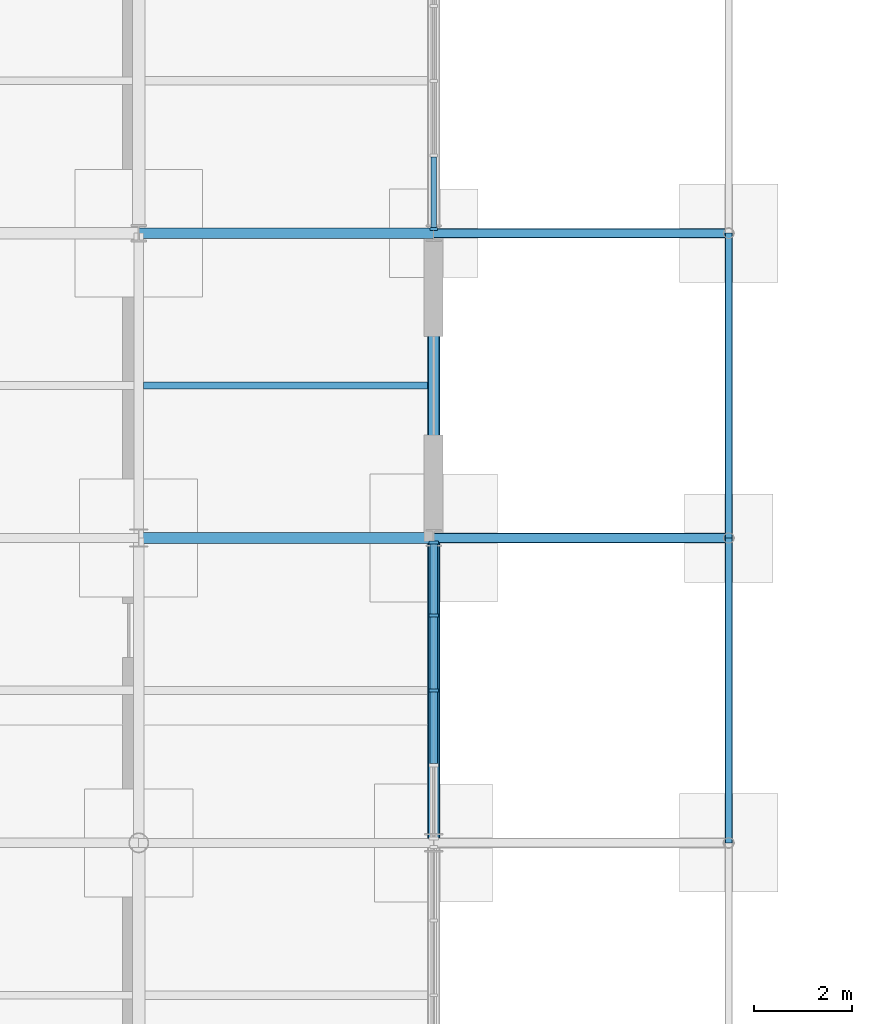
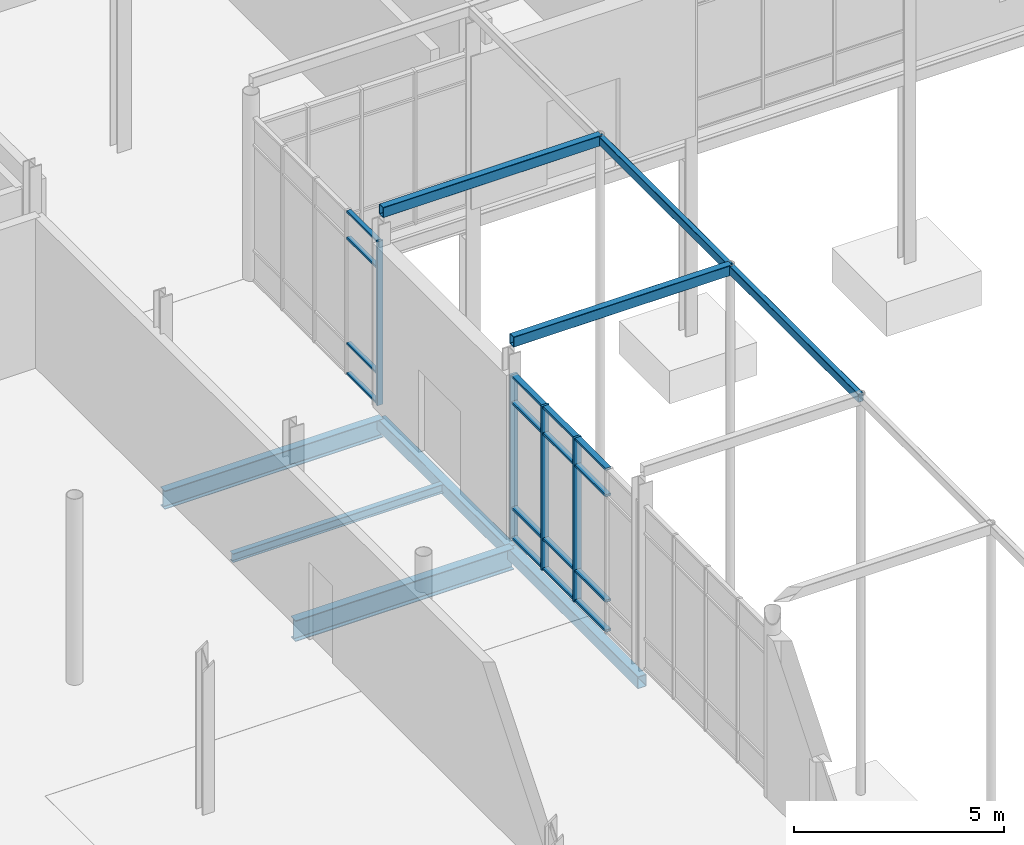
# One storey, part 30 of 98: 20 members, 9 beams, 2 elements without a shape of their own.
"""IFC4 building model written with IfcOpenShell, lengths in metres."""

from ifc_helpers import new_model, si_unit, direction, frame, origin, origin_2d, place, context, subcontext, project, spatial, rectangle, hollow_rectangle, i_section, extrude, material, layer, layer_set, material_profile, profile_set, type_object, element, aggregate, save


model = new_model("IFC4")

# Units and contexts
model_context = context("Model", 3, precision=1e-05, world=origin(), true_north=direction((0.0, 1.0)))
body_context = subcontext(model_context, "Body", "Model", "MODEL_VIEW")
ifc_project = project(units=[si_unit("LENGTHUNIT", "METRE"), si_unit("AREAUNIT", "SQUARE_METRE"), si_unit("VOLUMEUNIT", "CUBIC_METRE"), si_unit("PLANEANGLEUNIT", "RADIAN"), si_unit("MASSUNIT", "GRAM", prefix="KILO")], contexts=[model_context])

# Site, building, storey
site_placement = place(None, origin())
site = spatial("IfcSite", under=ifc_project, at=site_placement, CompositionType="ELEMENT")
building_placement = place(site_placement, origin())
building = spatial("IfcBuilding", under=site, at=building_placement, Name="Mirzam Square Science Centre", CompositionType="ELEMENT")
storey_placement = place(building_placement, origin())
storey = spatial("IfcBuildingStorey", under=building, at=storey_placement, Name="L00", CompositionType="ELEMENT", Elevation=0.0)

# Beams
ifc_material_1 = material(Name="Steel S355", Category="steel")
ifc_material_profile_1 = material_profile(ifc_material_1, i_section(OverallWidth=0.2099609375, OverallDepth=0.53662109375, WebThickness=0.0107421875, FlangeThickness=0.017333984375, FilletRadius=0.0126953125, at=origin_2d()), Name="533x210x101UB")
ifc_profile_set_1 = profile_set([ifc_material_profile_1], Name="Steel S355")
beam_type_1 = type_object("IfcBeamType", Name="BM-UB533", PredefinedType="BEAM", material=ifc_profile_set_1)
beam_1_placement = place(storey_placement, frame((24.0, 31.0, -0.568359375), z_axis=(1.0, 0.0, 0.0), x_axis=(0.0, 1.0, 0.0)))
element("IfcBeam", 1, at=beam_1_placement, inside=storey, type_object=beam_type_1, Name="L00 girder X5-6", PredefinedType="BEAM", context=body_context, shape_type="SweptSolid", body=[
    extrude(i_section(OverallWidth=0.2099609375, OverallDepth=0.53662109375, WebThickness=0.0107421875, FlangeThickness=0.017333984375, FilletRadius=0.0126953125, at=origin_2d()), origin(), (0.0, 0.0, 1.0), 6.0),
])
ifc_material_profile_2 = material_profile(ifc_material_1, i_section(OverallWidth=0.22900390625, OverallDepth=0.6123046875, WebThickness=0.011962890625, FlangeThickness=0.01953125, FilletRadius=0.0126953125, at=origin_2d()), Name="610x229x125UB")
ifc_profile_set_2 = profile_set([ifc_material_profile_2], Name="Steel S355")
beam_type_2 = type_object("IfcBeamType", Name="BM-UB610", PredefinedType="BEAM", material=ifc_profile_set_2)
beam_2_placement = place(storey_placement, frame((24.0, 24.800048828125, -0.606201171875), z_axis=(1.0, 0.0, 0.0), x_axis=(0.0, 1.0, 0.0)))
element("IfcBeam", 2, at=beam_2_placement, inside=storey, type_object=beam_type_2, Name="L00 girder X5-5", PredefinedType="BEAM", context=body_context, shape_type="SweptSolid", body=[
    extrude(i_section(OverallWidth=0.22900390625, OverallDepth=0.6123046875, WebThickness=0.011962890625, FlangeThickness=0.01953125, FilletRadius=0.0126953125, at=origin_2d()), origin(), (0.0, 0.0, 1.0), 6.0),
])

# Curtain wall, member
ifc_material_2 = material(Name="Anodised Aluminium and Low-E Solar Glass", Category="aluminium")
ifc_layer_1 = layer(ifc_material_2, 0.219970703125)
ifc_layer_set_1 = layer_set([ifc_layer_1], Name="CW-OBS-A")
curtain_wall_type_1 = type_object("IfcCurtainWallType", Name="CW-OBS-A", PredefinedType="USERDEFINED", material=ifc_layer_set_1)
curtain_wall_1_placement = place(storey_placement, origin())
curtain_wall_1 = element("IfcCurtainWall", 3, at=curtain_wall_1_placement, inside=storey, type_object=curtain_wall_type_1, Name="L00 unitised curtain wall 39", ObjectType="UNITISED CURTAIN WALL", PredefinedType="USERDEFINED")
ifc_material_3 = material(Name="Anodised Architectural Aluminium 6063-T6", Category="aluminium")
ifc_material_profile_3 = material_profile(ifc_material_3, rectangle(XDim=0.06005859375, YDim=0.159912109375, at=origin_2d()), Name="ALU-MULL-160x60x4")
ifc_profile_set_3 = profile_set([ifc_material_profile_3], Name="Anodised Architectural Aluminium 6063-T6")
member_type_1 = type_object("IfcMemberType", Name="CWM-160", PredefinedType="MULLION", material=ifc_profile_set_3)
member_1_placement = place(storey_placement, frame((30.0, 31.0849609375, 0.0), z_axis=(0.0, 0.0, 1.0), x_axis=(0.0, 1.0, 0.0)))
member_1 = element("IfcMember", 4, at=member_1_placement, type_object=member_type_1, Name="CW-07 mullion 1", PredefinedType="MULLION", context=body_context, shape_type="SweptSolid", body=[
    extrude(rectangle(XDim=0.06005859375, YDim=0.159912109375, at=origin_2d()), origin(), (0.0, 0.0, 1.0), 4.760009765625),
])

# Curtain wall, members
ifc_layer_2 = layer(ifc_material_2, 0.199951171875)
ifc_layer_set_2 = layer_set([ifc_layer_2], Name="CW-EAST-A")
curtain_wall_type_2 = type_object("IfcCurtainWallType", Name="CW-EAST-A", PredefinedType="USERDEFINED", material=ifc_layer_set_2)
curtain_wall_2_placement = place(storey_placement, origin())
curtain_wall_2 = element("IfcCurtainWall", 5, at=curtain_wall_2_placement, inside=storey, type_object=curtain_wall_type_2, Name="L00 unitised curtain wall 38", ObjectType="UNITISED CURTAIN WALL", PredefinedType="USERDEFINED")
ifc_material_profile_4 = material_profile(ifc_material_3, rectangle(XDim=0.06494140625, YDim=0.199951171875, at=origin_2d()), Name="ALU-MULL-200x65x5")
ifc_profile_set_4 = profile_set([ifc_material_profile_4], Name="Anodised Architectural Aluminium 6063-T6")
member_type_2 = type_object("IfcMemberType", Name="CWM-200", PredefinedType="MULLION", material=ifc_profile_set_4)
member_2_placement = place(storey_placement, frame((30.0, 21.699951171875, 0.0), z_axis=(0.0, 0.0, 1.0), x_axis=(0.0, 1.0, 0.0)))
member_2 = element("IfcMember", 6, at=member_2_placement, type_object=member_type_2, Name="CW-05 mullion 3", PredefinedType="MULLION", context=body_context, shape_type="SweptSolid", body=[
    extrude(rectangle(XDim=0.06494140625, YDim=0.199951171875, at=origin_2d()), origin(), (0.0, 0.0, 1.0), 4.760009765625),
])
member_3_placement = place(storey_placement, frame((30.0, 23.222412109375, 0.0), z_axis=(0.0, 0.0, 1.0), x_axis=(0.0, 1.0, 0.0)))
member_3 = element("IfcMember", 7, at=member_3_placement, type_object=member_type_2, Name="CW-05 mullion 4", PredefinedType="MULLION", context=body_context, shape_type="SweptSolid", body=[
    extrude(rectangle(XDim=0.06494140625, YDim=0.199951171875, at=origin_2d()), origin(), (0.0, 0.0, 1.0), 4.760009765625),
])
member_4_placement = place(storey_placement, frame((30.0, 24.71240234375, 0.0), z_axis=(0.0, 0.0, 1.0), x_axis=(0.0, 1.0, 0.0)))
member_4 = element("IfcMember", 8, at=member_4_placement, type_object=member_type_2, Name="CW-05 mullion 5", PredefinedType="MULLION", context=body_context, shape_type="SweptSolid", body=[
    extrude(rectangle(XDim=0.06494140625, YDim=0.199951171875, at=origin_2d()), origin(), (0.0, 0.0, 1.0), 4.760009765625),
])

# Member
ifc_material_profile_5 = material_profile(ifc_material_3, rectangle(XDim=0.1201171875, YDim=0.06005859375, at=origin_2d()), Name="ALU-TRAN-120x60x4")
ifc_profile_set_5 = profile_set([ifc_material_profile_5], Name="Anodised Architectural Aluminium 6063-T6")
member_type_3 = type_object("IfcMemberType", Name="CWT-120", PredefinedType="USERDEFINED", material=ifc_profile_set_5)
member_5_placement = place(storey_placement, frame((30.0, 31.114990234375, 0.030029296875), z_axis=(0.0, 1.0, 0.0), x_axis=(-1.0, 0.0, 0.0)))
member_5 = element("IfcMember", 9, at=member_5_placement, type_object=member_type_3, Name="CW-07 transom 1.1", ObjectType="TRANSOM", PredefinedType="USERDEFINED", context=body_context, shape_type="SweptSolid", body=[
    extrude(rectangle(XDim=0.1201171875, YDim=0.06005859375, at=origin_2d()), origin(), (0.0, 0.0, 1.0), 1.4326171875),
])

member_6_placement = place(storey_placement, frame((30.0, 31.114990234375, 0.89990234375), z_axis=(0.0, 1.0, 0.0), x_axis=(-1.0, 0.0, 0.0)))
member_6 = element("IfcMember", 10, at=member_6_placement, type_object=member_type_3, Name="CW-07 transom 1.2", ObjectType="TRANSOM", PredefinedType="USERDEFINED", context=body_context, shape_type="SweptSolid", body=[
    extrude(rectangle(XDim=0.1201171875, YDim=0.06005859375, at=origin_2d()), origin(), (0.0, 0.0, 1.0), 1.4326171875),
])

member_7_placement = place(storey_placement, frame((30.0, 31.114990234375, 3.9599609375), z_axis=(0.0, 1.0, 0.0), x_axis=(-1.0, 0.0, 0.0)))
member_7 = element("IfcMember", 11, at=member_7_placement, type_object=member_type_3, Name="CW-07 transom 1.3", ObjectType="TRANSOM", PredefinedType="USERDEFINED", context=body_context, shape_type="SweptSolid", body=[
    extrude(rectangle(XDim=0.1201171875, YDim=0.06005859375, at=origin_2d()), origin(), (0.0, 0.0, 1.0), 1.4326171875),
])

member_8_placement = place(storey_placement, frame((30.0, 31.114990234375, 4.72998046875), z_axis=(0.0, 1.0, 0.0), x_axis=(-1.0, 0.0, 0.0)))
member_8 = element("IfcMember", 12, at=member_8_placement, type_object=member_type_3, Name="CW-07 transom 1.4", ObjectType="TRANSOM", PredefinedType="USERDEFINED", context=body_context, shape_type="SweptSolid", body=[
    extrude(rectangle(XDim=0.1201171875, YDim=0.06005859375, at=origin_2d()), origin(), (0.0, 0.0, 1.0), 1.4326171875),
])

aggregate(curtain_wall_1, [member_1, member_5, member_6, member_7, member_8])

ifc_material_profile_6 = material_profile(ifc_material_3, rectangle(XDim=0.14990234375, YDim=0.06494140625, at=origin_2d()), Name="ALU-TRAN-150x65x4")
ifc_profile_set_6 = profile_set([ifc_material_profile_6], Name="Anodised Architectural Aluminium 6063-T6")
member_type_4 = type_object("IfcMemberType", Name="CWT-150", PredefinedType="USERDEFINED", material=ifc_profile_set_6)
member_9_placement = place(storey_placement, frame((30.0, 20.2099609375, 0.032470703125), z_axis=(0.0, 1.0, 0.0), x_axis=(-1.0, 0.0, 0.0)))
member_9 = element("IfcMember", 13, at=member_9_placement, type_object=member_type_4, Name="CW-05 transom 2.1", ObjectType="TRANSOM", PredefinedType="USERDEFINED", context=body_context, shape_type="SweptSolid", body=[
    extrude(rectangle(XDim=0.14990234375, YDim=0.06494140625, at=origin_2d()), origin(), (0.0, 0.0, 1.0), 1.45751953125),
])

member_10_placement = place(storey_placement, frame((30.0, 20.2099609375, 0.89990234375), z_axis=(0.0, 1.0, 0.0), x_axis=(-1.0, 0.0, 0.0)))
member_10 = element("IfcMember", 14, at=member_10_placement, type_object=member_type_4, Name="CW-05 transom 2.2", ObjectType="TRANSOM", PredefinedType="USERDEFINED", context=body_context, shape_type="SweptSolid", body=[
    extrude(rectangle(XDim=0.14990234375, YDim=0.06494140625, at=origin_2d()), origin(), (0.0, 0.0, 1.0), 1.45751953125),
])

member_11_placement = place(storey_placement, frame((30.0, 20.2099609375, 3.9599609375), z_axis=(0.0, 1.0, 0.0), x_axis=(-1.0, 0.0, 0.0)))
member_11 = element("IfcMember", 15, at=member_11_placement, type_object=member_type_4, Name="CW-05 transom 2.3", ObjectType="TRANSOM", PredefinedType="USERDEFINED", context=body_context, shape_type="SweptSolid", body=[
    extrude(rectangle(XDim=0.14990234375, YDim=0.06494140625, at=origin_2d()), origin(), (0.0, 0.0, 1.0), 1.45751953125),
])

member_12_placement = place(storey_placement, frame((30.0, 20.2099609375, 4.7275390625), z_axis=(0.0, 1.0, 0.0), x_axis=(-1.0, 0.0, 0.0)))
member_12 = element("IfcMember", 16, at=member_12_placement, type_object=member_type_4, Name="CW-05 transom 2.4", ObjectType="TRANSOM", PredefinedType="USERDEFINED", context=body_context, shape_type="SweptSolid", body=[
    extrude(rectangle(XDim=0.14990234375, YDim=0.06494140625, at=origin_2d()), origin(), (0.0, 0.0, 1.0), 1.45751953125),
])

member_13_placement = place(storey_placement, frame((30.0, 21.732421875, 0.032470703125), z_axis=(0.0, 1.0, 0.0), x_axis=(-1.0, 0.0, 0.0)))
member_13 = element("IfcMember", 17, at=member_13_placement, type_object=member_type_4, Name="CW-05 transom 3.1", ObjectType="TRANSOM", PredefinedType="USERDEFINED", context=body_context, shape_type="SweptSolid", body=[
    extrude(rectangle(XDim=0.14990234375, YDim=0.06494140625, at=origin_2d()), origin(), (0.0, 0.0, 1.0), 1.45751953125),
])

member_14_placement = place(storey_placement, frame((30.0, 21.732421875, 0.89990234375), z_axis=(0.0, 1.0, 0.0), x_axis=(-1.0, 0.0, 0.0)))
member_14 = element("IfcMember", 18, at=member_14_placement, type_object=member_type_4, Name="CW-05 transom 3.2", ObjectType="TRANSOM", PredefinedType="USERDEFINED", context=body_context, shape_type="SweptSolid", body=[
    extrude(rectangle(XDim=0.14990234375, YDim=0.06494140625, at=origin_2d()), origin(), (0.0, 0.0, 1.0), 1.45751953125),
])

member_15_placement = place(storey_placement, frame((30.0, 21.732421875, 3.9599609375), z_axis=(0.0, 1.0, 0.0), x_axis=(-1.0, 0.0, 0.0)))
member_15 = element("IfcMember", 19, at=member_15_placement, type_object=member_type_4, Name="CW-05 transom 3.3", ObjectType="TRANSOM", PredefinedType="USERDEFINED", context=body_context, shape_type="SweptSolid", body=[
    extrude(rectangle(XDim=0.14990234375, YDim=0.06494140625, at=origin_2d()), origin(), (0.0, 0.0, 1.0), 1.45751953125),
])

member_16_placement = place(storey_placement, frame((30.0, 21.732421875, 4.7275390625), z_axis=(0.0, 1.0, 0.0), x_axis=(-1.0, 0.0, 0.0)))
member_16 = element("IfcMember", 20, at=member_16_placement, type_object=member_type_4, Name="CW-05 transom 3.4", ObjectType="TRANSOM", PredefinedType="USERDEFINED", context=body_context, shape_type="SweptSolid", body=[
    extrude(rectangle(XDim=0.14990234375, YDim=0.06494140625, at=origin_2d()), origin(), (0.0, 0.0, 1.0), 1.45751953125),
])

member_17_placement = place(storey_placement, frame((30.0, 23.2548828125, 0.032470703125), z_axis=(0.0, 1.0, 0.0), x_axis=(-1.0, 0.0, 0.0)))
member_17 = element("IfcMember", 21, at=member_17_placement, type_object=member_type_4, Name="CW-05 transom 4.1", ObjectType="TRANSOM", PredefinedType="USERDEFINED", context=body_context, shape_type="SweptSolid", body=[
    extrude(rectangle(XDim=0.14990234375, YDim=0.06494140625, at=origin_2d()), origin(), (0.0, 0.0, 1.0), 1.425048828125),
])

member_18_placement = place(storey_placement, frame((30.0, 23.2548828125, 0.89990234375), z_axis=(0.0, 1.0, 0.0), x_axis=(-1.0, 0.0, 0.0)))
member_18 = element("IfcMember", 22, at=member_18_placement, type_object=member_type_4, Name="CW-05 transom 4.2", ObjectType="TRANSOM", PredefinedType="USERDEFINED", context=body_context, shape_type="SweptSolid", body=[
    extrude(rectangle(XDim=0.14990234375, YDim=0.06494140625, at=origin_2d()), origin(), (0.0, 0.0, 1.0), 1.425048828125),
])

member_19_placement = place(storey_placement, frame((30.0, 23.2548828125, 3.9599609375), z_axis=(0.0, 1.0, 0.0), x_axis=(-1.0, 0.0, 0.0)))
member_19 = element("IfcMember", 23, at=member_19_placement, type_object=member_type_4, Name="CW-05 transom 4.3", ObjectType="TRANSOM", PredefinedType="USERDEFINED", context=body_context, shape_type="SweptSolid", body=[
    extrude(rectangle(XDim=0.14990234375, YDim=0.06494140625, at=origin_2d()), origin(), (0.0, 0.0, 1.0), 1.425048828125),
])

member_20_placement = place(storey_placement, frame((30.0, 23.2548828125, 4.7275390625), z_axis=(0.0, 1.0, 0.0), x_axis=(-1.0, 0.0, 0.0)))
member_20 = element("IfcMember", 24, at=member_20_placement, type_object=member_type_4, Name="CW-05 transom 4.4", ObjectType="TRANSOM", PredefinedType="USERDEFINED", context=body_context, shape_type="SweptSolid", body=[
    extrude(rectangle(XDim=0.14990234375, YDim=0.06494140625, at=origin_2d()), origin(), (0.0, 0.0, 1.0), 1.425048828125),
])

aggregate(curtain_wall_2, [member_2, member_3, member_4, member_9, member_10, member_11, member_12, member_13, member_14, member_15, member_16, member_17, member_18, member_19, member_20])

# Beams
ifc_material_profile_7 = material_profile(ifc_material_1, i_section(OverallWidth=0.146484375, OverallDepth=0.256103515625, WebThickness=0.00634765625, FlangeThickness=0.010986328125, FilletRadius=0.007568359375, at=origin_2d()), Name="254x146x37UB")
ifc_profile_set_7 = profile_set([ifc_material_profile_7], Name="Steel S355")
beam_type_3 = type_object("IfcBeamType", Name="JS-UB254", PredefinedType="JOIST", material=ifc_profile_set_7)
beam_3_placement = place(storey_placement, frame((24.095703125, 27.89990234375, -0.427978515625), z_axis=(1.0, 0.0, 0.0), x_axis=(0.0, 1.0, 0.0)))
element("IfcBeam", 25, at=beam_3_placement, inside=storey, type_object=beam_type_3, Name="L00 composite joist 5-5", PredefinedType="JOIST", context=body_context, shape_type="SweptSolid", body=[
    extrude(i_section(OverallWidth=0.146484375, OverallDepth=0.256103515625, WebThickness=0.00634765625, FlangeThickness=0.010986328125, FilletRadius=0.007568359375, at=origin_2d()), origin(), (0.0, 0.0, 1.0), 5.779296875),
])
ifc_material_profile_8 = material_profile(ifc_material_1, hollow_rectangle(XDim=0.14990234375, YDim=0.25, WallThickness=0.010009765625, InnerFilletRadius=0.010009765625, OuterFilletRadius=0.02001953125, at=origin_2d()), Name="250x150x10.0RHS")
ifc_profile_set_8 = profile_set([ifc_material_profile_8], Name="Steel S355")
beam_type_4 = type_object("IfcBeamType", Name="SP-RHS250", PredefinedType="SPANDREL", material=ifc_profile_set_8)
for number, where, z_axis, x_axis, name in (
    (26, (36.0, 18.60009765625, 5.669921875), (0.0, 1.0, 0.0), (-1.0, 0.0, 0.0), "WARC colonnade longitudinal beam 4"),
    (27, (36.0, 24.800048828125, 5.669921875), (0.0, 1.0, 0.0), (-1.0, 0.0, 0.0), "WARC colonnade longitudinal beam 5"),
):
    element("IfcBeam", number, at=place(storey_placement, frame(where, z_axis=z_axis, x_axis=x_axis)), inside=storey, type_object=beam_type_4, Name=name, PredefinedType="SPANDREL", context=body_context, shape_type="SweptSolid", body=[
        extrude(hollow_rectangle(XDim=0.14990234375, YDim=0.25, WallThickness=0.010009765625, InnerFilletRadius=0.010009765625, OuterFilletRadius=0.02001953125, at=origin_2d()), origin(), (0.0, 0.0, 1.0), 6.199951171875),
    ])
ifc_material_profile_9 = material_profile(ifc_material_1, hollow_rectangle(XDim=0.199951171875, YDim=0.300048828125, WallThickness=0.010009765625, InnerFilletRadius=0.010009765625, OuterFilletRadius=0.02001953125, at=origin_2d()), Name="300x200x10.0RHS")
ifc_profile_set_9 = profile_set([ifc_material_profile_9], Name="Steel S355")
beam_type_5 = type_object("IfcBeamType", Name="SP-RHS300", PredefinedType="SPANDREL", material=ifc_profile_set_9)
for number, where, z_axis, x_axis, name in (
    (28, (30.0, 24.800048828125, 5.669921875), (1.0, 0.0, 0.0), (0.0, 1.0, 0.0), "WARC colonnade beam 5"),
    (29, (30.0, 31.0, 5.669921875), (1.0, 0.0, 0.0), (0.0, 1.0, 0.0), "WARC colonnade beam 6"),
):
    element("IfcBeam", number, at=place(storey_placement, frame(where, z_axis=z_axis, x_axis=x_axis)), inside=storey, type_object=beam_type_5, Name=name, PredefinedType="SPANDREL", context=body_context, shape_type="SweptSolid", body=[
        extrude(hollow_rectangle(XDim=0.199951171875, YDim=0.300048828125, WallThickness=0.010009765625, InnerFilletRadius=0.010009765625, OuterFilletRadius=0.02001953125, at=origin_2d()), origin(), (0.0, 0.0, 1.0), 6.0),
    ])
ifc_material_profile_10 = material_profile(ifc_material_1, hollow_rectangle(XDim=0.25, YDim=0.35009765625, WallThickness=0.012451171875, InnerFilletRadius=0.012451171875, OuterFilletRadius=0.02490234375, at=origin_2d()), Name="350x250x12.5RHS")
ifc_profile_set_10 = profile_set([ifc_material_profile_10], Name="Steel S355")
beam_type_6 = type_object("IfcBeamType", Name="SP-RHS350", PredefinedType="SPANDREL", material=ifc_profile_set_10)
for number, where, z_axis, x_axis, name in (
    (30, (30.0, 18.60009765625, -0.47509765625), (0.0, 1.0, 0.0), (-1.0, 0.0, 0.0), "L00 girder Y6-4"),
    (31, (30.0, 24.800048828125, -0.47509765625), (0.0, 1.0, 0.0), (-1.0, 0.0, 0.0), "L00 girder Y6-5"),
):
    element("IfcBeam", number, at=place(storey_placement, frame(where, z_axis=z_axis, x_axis=x_axis)), inside=storey, type_object=beam_type_6, Name=name, PredefinedType="SPANDREL", context=body_context, shape_type="SweptSolid", body=[
        extrude(hollow_rectangle(XDim=0.25, YDim=0.35009765625, WallThickness=0.012451171875, InnerFilletRadius=0.012451171875, OuterFilletRadius=0.02490234375, at=origin_2d()), origin(), (0.0, 0.0, 1.0), 6.199951171875),
    ])

save(model, "model.ifc")
